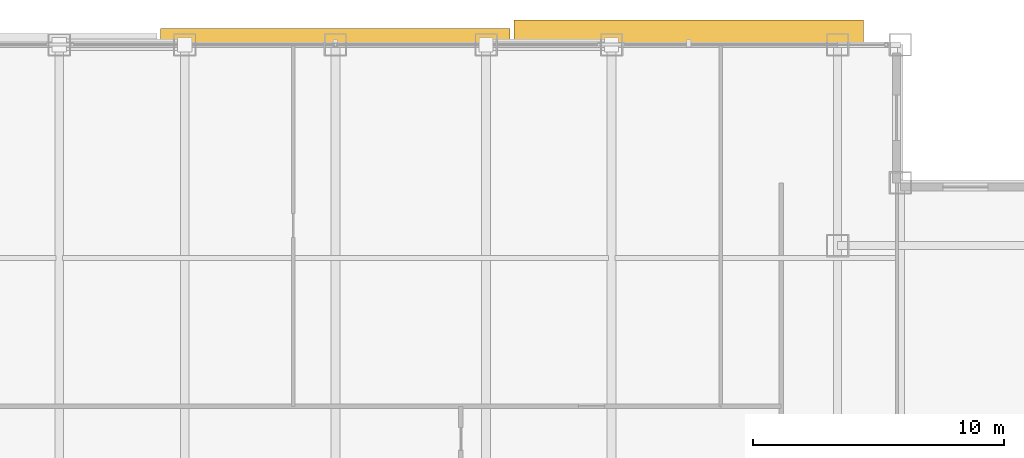
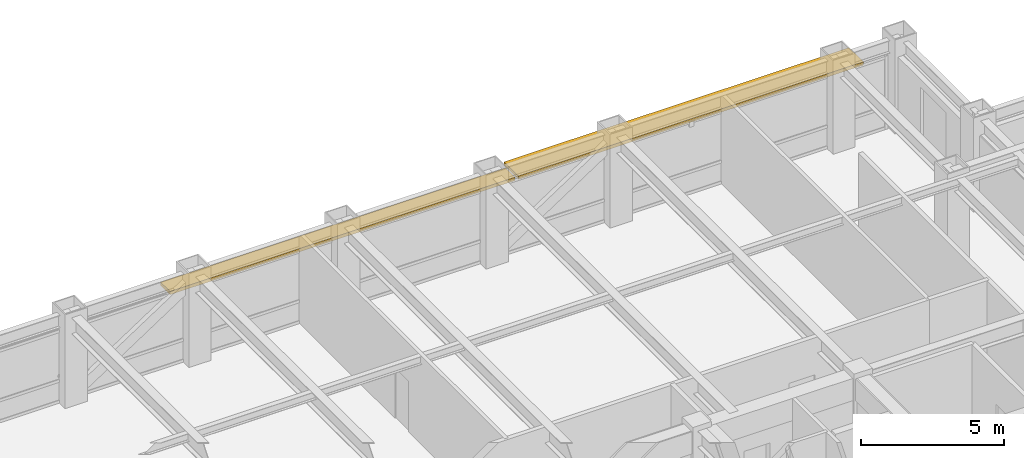
# One storey, part 27 of 27: 2 shading devices.
"""IFC4 building model written with IfcOpenShell, lengths in metres."""

from ifc_helpers import new_model, si_unit, direction, frame, origin, origin_2d, place, context, subcontext, project, spatial, rectangle, extrude, source, transform, mapped, material, layer, layer_set, type_object, element, save


model = new_model("IFC4")

# Units and contexts
model_context = context("Model", 3, precision=1e-05, world=origin(), true_north=direction((0.0, 1.0)))
body_context = subcontext(model_context, "Body", "Model", "MODEL_VIEW")
ifc_project = project(units=[si_unit("LENGTHUNIT", "METRE"), si_unit("AREAUNIT", "SQUARE_METRE"), si_unit("VOLUMEUNIT", "CUBIC_METRE"), si_unit("PLANEANGLEUNIT", "RADIAN"), si_unit("MASSUNIT", "GRAM", prefix="KILO")], contexts=[model_context])

# Site, building, storey
site_placement = place(None, origin())
site = spatial("IfcSite", under=ifc_project, at=site_placement, CompositionType="ELEMENT")
building_placement = place(site_placement, origin())
building = spatial("IfcBuilding", under=site, at=building_placement, Name="Khorayat Bourse Tower", CompositionType="ELEMENT")
storey_placement = place(building_placement, frame((0.0, 0.0, 313.5)))
storey = spatial("IfcBuildingStorey", under=building, at=storey_placement, Name="L74", CompositionType="ELEMENT", Elevation=313.5)

# Shading devices
ifc_material = material(Name="Precast concrete C45/55", Category="concrete")
ifc_layer = layer(ifc_material, 0.139892578125)
ifc_layer_set = layer_set([ifc_layer], Name="Precast concrete C45/55")
shading_device_type = type_object("IfcShadingDeviceType", Name="SHD-WAVE-TRAY-A", PredefinedType="USERDEFINED", material=ifc_layer_set)
shared_shape_1 = source(origin(), body_context, "Body", "SweptSolid", [
    extrude(rectangle(XDim=13.9267578125, YDim=0.6611328125, at=origin_2d()), origin(), (0.0, 0.0, 1.0), 0.139892578125),
])
shading_device_1_placement = place(storey_placement, frame((0.0, 28.310546875, 3.0302734375), z_axis=(0.0, 0.0, 1.0), x_axis=(1.0, 0.0, 0.0)))
element("IfcShadingDevice", 1, at=shading_device_1_placement, inside=storey, type_object=shading_device_type, Name="L74 Sinusoidal Wave Sunshade Tray N-2", ObjectType="SUNSHADE", PredefinedType="USERDEFINED", context=body_context, shape_type="MappedRepresentation", body=[
    mapped(shared_shape_1, transform((0.0, 0.0, 0.0), scale=1.0)),
])
shared_shape_2 = source(origin(), body_context, "Body", "SweptSolid", [
    extrude(rectangle(XDim=13.9267578125, YDim=1.00537109375, at=origin_2d()), origin(), (0.0, 0.0, 1.0), 0.139892578125),
])
shading_device_2_placement = place(storey_placement, frame((14.066650390625, 28.482666015625, 3.0302734375), z_axis=(0.0, 0.0, 1.0), x_axis=(1.0, 0.0, 0.0)))
element("IfcShadingDevice", 2, at=shading_device_2_placement, inside=storey, type_object=shading_device_type, Name="L74 Sinusoidal Wave Sunshade Tray N-3", ObjectType="SUNSHADE", PredefinedType="USERDEFINED", context=body_context, shape_type="MappedRepresentation", body=[
    mapped(shared_shape_2, transform((0.0, 0.0, 0.0), scale=1.0)),
])

save(model, "model.ifc")
